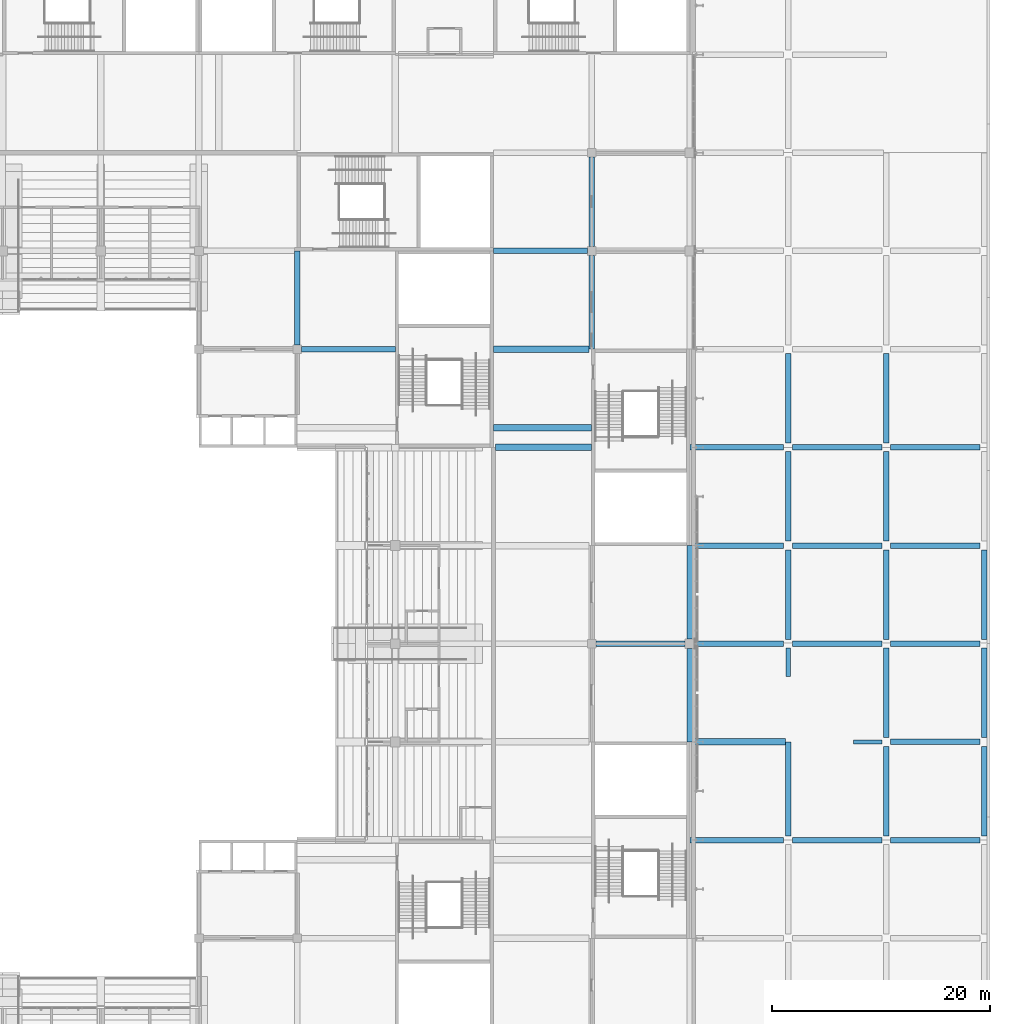
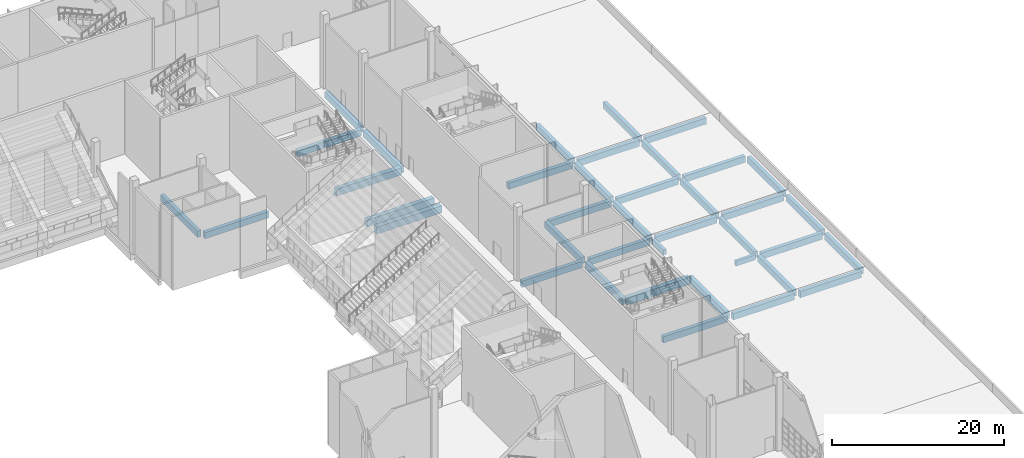
# One storey, part 53 of 182: 39 beams.
"""IFC4 building model written with IfcOpenShell, lengths in metres."""

from ifc_helpers import new_model, si_unit, direction, frame, origin, origin_2d, place, context, subcontext, project, spatial, rectangle, extrude, material, material_profile, profile_set, type_object, element, save


model = new_model("IFC4")

# Units and contexts
model_context = context("Model", 3, precision=1e-05, world=origin(), true_north=direction((0.0, 1.0)))
body_context = subcontext(model_context, "Body", "Model", "MODEL_VIEW")
ifc_project = project(units=[si_unit("LENGTHUNIT", "METRE"), si_unit("AREAUNIT", "SQUARE_METRE"), si_unit("VOLUMEUNIT", "CUBIC_METRE"), si_unit("PLANEANGLEUNIT", "RADIAN"), si_unit("MASSUNIT", "GRAM", prefix="KILO")], contexts=[model_context])

# Site, building, storey
site_placement = place(None, origin())
site = spatial("IfcSite", under=ifc_project, at=site_placement, CompositionType="ELEMENT")
building_placement = place(site_placement, origin())
building = spatial("IfcBuilding", under=site, at=building_placement, Name="Silverbay Arena", CompositionType="ELEMENT")
storey_placement = place(building_placement, frame((0.0, 0.0, 11.5)))
storey = spatial("IfcBuildingStorey", under=building, at=storey_placement, Name="L02", CompositionType="ELEMENT", Elevation=11.5)

# Beams
ifc_material_1 = material(Name="Concrete Grade C45", Category="concrete")
ifc_material_profile_1 = material_profile(ifc_material_1, rectangle(XDim=0.39990234375, YDim=0.699951171875, at=origin_2d()), Name="RC 400x700")
ifc_profile_set_1 = profile_set([ifc_material_profile_1], Name="Concrete Grade C45")
beam_type_1 = type_object("IfcBeamType", Name="RC beam 400x700", PredefinedType="BEAM", material=ifc_profile_set_1)
for number, where, z_axis, x_axis, name in (
    (1, (222.0, 72.0, -0.699951171875), (1.0, 0.0, 0.0), (0.0, 1.0, 0.0), "Floor beam L02 082"),
    (2, (216.0, 78.0, -0.699951171875), (0.0, 1.0, 0.0), (-1.0, 0.0, 0.0), "Floor beam L02 337"),
):
    element("IfcBeam", number, at=place(storey_placement, frame(where, z_axis=z_axis, x_axis=x_axis)), inside=storey, type_object=beam_type_1, Name=name, PredefinedType="BEAM", context=body_context, shape_type="SweptSolid", body=[
        extrude(rectangle(XDim=0.39990234375, YDim=0.699951171875, at=origin_2d()), origin(), (0.0, 0.0, 1.0), 2.60009765625),
    ])
ifc_material_2 = material(Name="Concrete Grade C45", Category="concrete")
ifc_material_profile_2 = material_profile(ifc_material_2, rectangle(XDim=0.5, YDim=1.0, at=origin_2d()), Name="RC 500x1000")
ifc_profile_set_2 = profile_set([ifc_material_profile_2], Name="Concrete Grade C45")
beam_type_2 = type_object("IfcBeamType", Name="RC beam 500x1000", PredefinedType="BEAM", material=ifc_profile_set_2)
beam_1_placement = place(storey_placement, frame((198.0, 108.0, -0.85009765625), z_axis=(0.0, 1.0, 0.0), x_axis=(-1.0, 0.0, 0.0)))
element("IfcBeam", 3, at=beam_1_placement, inside=storey, type_object=beam_type_2, Name="Floor beam L02 320", PredefinedType="BEAM", context=body_context, shape_type="SweptSolid", body=[
    extrude(rectangle(XDim=0.5, YDim=1.0, at=origin_2d()), origin(), (0.0, 0.0, 1.0), 8.60009765625),
])
beam_2_placement = place(storey_placement, frame((207.0, 72.0, -0.85009765625), z_axis=(0.0, 1.0, 0.0), x_axis=(-1.0, 0.0, 0.0)))
element("IfcBeam", 4, at=beam_2_placement, inside=storey, type_object=beam_type_2, Name="Floor beam L02 326", PredefinedType="BEAM", context=body_context, shape_type="SweptSolid", body=[
    extrude(rectangle(XDim=0.5, YDim=1.0, at=origin_2d()), origin(), (0.0, 0.0, 1.0), 8.550048828125),
])
beam_3_placement = place(storey_placement, frame((216.0, 63.39990234375, -0.85009765625), z_axis=(0.0, 1.0, 0.0), x_axis=(-1.0, 0.0, 0.0)))
element("IfcBeam", 5, at=beam_3_placement, inside=storey, type_object=beam_type_2, Name="Floor beam L02 336", PredefinedType="BEAM", context=body_context, shape_type="SweptSolid", body=[
    extrude(rectangle(XDim=0.5, YDim=1.0, at=origin_2d()), origin(), (0.0, 0.0, 1.0), 8.60009765625),
])
ifc_material_3 = material(Name="Concrete Grade C45", Category="concrete")
ifc_material_profile_3 = material_profile(ifc_material_3, rectangle(XDim=0.5, YDim=0.89990234375, at=origin_2d()), Name="RC 500x900")
ifc_profile_set_3 = profile_set([ifc_material_profile_3], Name="Concrete Grade C45")
beam_type_3 = type_object("IfcBeamType", Name="RC beam 500x900", PredefinedType="BEAM", material=ifc_profile_set_3)
beam_4_placement = place(storey_placement, frame((207.0, 63.0, -0.800048828125), z_axis=(1.0, 0.0, 0.0), x_axis=(0.0, 1.0, 0.0)))
element("IfcBeam", 6, at=beam_4_placement, inside=storey, type_object=beam_type_3, Name="Floor beam L02 069", PredefinedType="BEAM", context=body_context, shape_type="SweptSolid", body=[
    extrude(rectangle(XDim=0.5, YDim=0.89990234375, at=origin_2d()), origin(), (0.0, 0.0, 1.0), 8.60009765625),
])
for number, where, z_axis, x_axis, name in (
    (7, (216.39990234375, 63.0, -0.800048828125), (1.0, 0.0, 0.0), (0.0, 1.0, 0.0), "Floor beam L02 070"),
    (8, (225.39990234375, 63.0, -0.800048828125), (1.0, 0.0, 0.0), (0.0, 1.0, 0.0), "Floor beam L02 071"),
    (9, (225.39990234375, 72.0, -0.800048828125), (1.0, 0.0, 0.0), (0.0, 1.0, 0.0), "Floor beam L02 083"),
):
    element("IfcBeam", number, at=place(storey_placement, frame(where, z_axis=z_axis, x_axis=x_axis)), inside=storey, type_object=beam_type_3, Name=name, PredefinedType="BEAM", context=body_context, shape_type="SweptSolid", body=[
        extrude(rectangle(XDim=0.5, YDim=0.89990234375, at=origin_2d()), origin(), (0.0, 0.0, 1.0), 8.2001953125),
    ])
for number, where, z_axis, x_axis, name in (
    (10, (198.39990234375, 81.0, -0.800048828125), (1.0, 0.0, 0.0), (0.0, 1.0, 0.0), "Floor beam L02 094"),
    (11, (207.449951171875, 81.0, -0.800048828125), (1.0, 0.0, 0.0), (0.0, 1.0, 0.0), "Floor beam L02 095"),
):
    element("IfcBeam", number, at=place(storey_placement, frame(where, z_axis=z_axis, x_axis=x_axis)), inside=storey, type_object=beam_type_3, Name=name, PredefinedType="BEAM", context=body_context, shape_type="SweptSolid", body=[
        extrude(rectangle(XDim=0.5, YDim=0.89990234375, at=origin_2d()), origin(), (0.0, 0.0, 1.0), 8.150146484375),
    ])
for number, where, z_axis, x_axis, name in (
    (12, (216.39990234375, 81.0, -0.800048828125), (1.0, 0.0, 0.0), (0.0, 1.0, 0.0), "Floor beam L02 096"),
    (13, (225.39990234375, 81.0, -0.800048828125), (1.0, 0.0, 0.0), (0.0, 1.0, 0.0), "Floor beam L02 097"),
):
    element("IfcBeam", number, at=place(storey_placement, frame(where, z_axis=z_axis, x_axis=x_axis)), inside=storey, type_object=beam_type_3, Name=name, PredefinedType="BEAM", context=body_context, shape_type="SweptSolid", body=[
        extrude(rectangle(XDim=0.5, YDim=0.89990234375, at=origin_2d()), origin(), (0.0, 0.0, 1.0), 8.2001953125),
    ])
beam_5_placement = place(storey_placement, frame((207.25, 90.0, -0.800048828125), z_axis=(1.0, 0.0, 0.0), x_axis=(0.0, 1.0, 0.0)))
element("IfcBeam", 14, at=beam_5_placement, inside=storey, type_object=beam_type_3, Name="Floor beam L02 107", PredefinedType="BEAM", context=body_context, shape_type="SweptSolid", body=[
    extrude(rectangle(XDim=0.5, YDim=0.89990234375, at=origin_2d()), origin(), (0.0, 0.0, 1.0), 8.35009765625),
])
for number, where, z_axis, x_axis, name in (
    (15, (216.39990234375, 90.0, -0.800048828125), (1.0, 0.0, 0.0), (0.0, 1.0, 0.0), "Floor beam L02 108"),
    (16, (225.39990234375, 90.0, -0.800048828125), (1.0, 0.0, 0.0), (0.0, 1.0, 0.0), "Floor beam L02 109"),
):
    element("IfcBeam", number, at=place(storey_placement, frame(where, z_axis=z_axis, x_axis=x_axis)), inside=storey, type_object=beam_type_3, Name=name, PredefinedType="BEAM", context=body_context, shape_type="SweptSolid", body=[
        extrude(rectangle(XDim=0.5, YDim=0.89990234375, at=origin_2d()), origin(), (0.0, 0.0, 1.0), 8.2001953125),
    ])
beam_6_placement = place(storey_placement, frame((207.0, 99.0, -0.800048828125), z_axis=(1.0, 0.0, 0.0), x_axis=(0.0, 1.0, 0.0)))
element("IfcBeam", 17, at=beam_6_placement, inside=storey, type_object=beam_type_3, Name="Floor beam L02 117", PredefinedType="BEAM", context=body_context, shape_type="SweptSolid", body=[
    extrude(rectangle(XDim=0.5, YDim=0.89990234375, at=origin_2d()), origin(), (0.0, 0.0, 1.0), 8.60009765625),
])
for number, where, z_axis, x_axis, name in (
    (18, (216.39990234375, 99.0, -0.800048828125), (1.0, 0.0, 0.0), (0.0, 1.0, 0.0), "Floor beam L02 118"),
    (19, (225.39990234375, 99.0, -0.800048828125), (1.0, 0.0, 0.0), (0.0, 1.0, 0.0), "Floor beam L02 119"),
):
    element("IfcBeam", number, at=place(storey_placement, frame(where, z_axis=z_axis, x_axis=x_axis)), inside=storey, type_object=beam_type_3, Name=name, PredefinedType="BEAM", context=body_context, shape_type="SweptSolid", body=[
        extrude(rectangle(XDim=0.5, YDim=0.89990234375, at=origin_2d()), origin(), (0.0, 0.0, 1.0), 8.2001953125),
    ])
for number, where, z_axis, x_axis, name in (
    (20, (171.39990234375, 108.0, -0.800048828125), (1.0, 0.0, 0.0), (0.0, 1.0, 0.0), "Floor beam L02 131"),
    (21, (189.0, 117.0, -0.800048828125), (1.0, 0.0, 0.0), (0.0, 1.0, 0.0), "Floor beam L02 150"),
    (22, (171.0, 108.39990234375, -0.800048828125), (0.0, 1.0, 0.0), (-1.0, 0.0, 0.0), "Floor beam L02 307"),
):
    element("IfcBeam", number, at=place(storey_placement, frame(where, z_axis=z_axis, x_axis=x_axis)), inside=storey, type_object=beam_type_3, Name=name, PredefinedType="BEAM", context=body_context, shape_type="SweptSolid", body=[
        extrude(rectangle(XDim=0.5, YDim=0.89990234375, at=origin_2d()), origin(), (0.0, 0.0, 1.0), 8.60009765625),
    ])
beam_7_placement = place(storey_placement, frame((198.0, 117.39990234375, -0.800048828125), z_axis=(0.0, 1.0, 0.0), x_axis=(-1.0, 0.0, 0.0)))
element("IfcBeam", 23, at=beam_7_placement, inside=storey, type_object=beam_type_3, Name="Floor beam L02 321", PredefinedType="BEAM", context=body_context, shape_type="SweptSolid", body=[
    extrude(rectangle(XDim=0.5, YDim=0.89990234375, at=origin_2d()), origin(), (0.0, 0.0, 1.0), 8.2001953125),
])
beam_8_placement = place(storey_placement, frame((207.0, 81.449951171875, -0.800048828125), z_axis=(0.0, 1.0, 0.0), x_axis=(-1.0, 0.0, 0.0)))
element("IfcBeam", 24, at=beam_8_placement, inside=storey, type_object=beam_type_3, Name="Floor beam L02 327", PredefinedType="BEAM", context=body_context, shape_type="SweptSolid", body=[
    extrude(rectangle(XDim=0.5, YDim=0.89990234375, at=origin_2d()), origin(), (0.0, 0.0, 1.0), 8.550048828125),
])
for number, where, z_axis, x_axis, name in (
    (25, (216.0, 81.39990234375, -0.800048828125), (0.0, 1.0, 0.0), (-1.0, 0.0, 0.0), "Floor beam L02 338"),
    (26, (216.0, 90.39990234375, -0.800048828125), (0.0, 1.0, 0.0), (-1.0, 0.0, 0.0), "Floor beam L02 339"),
    (27, (216.0, 99.39990234375, -0.800048828125), (0.0, 1.0, 0.0), (-1.0, 0.0, 0.0), "Floor beam L02 340"),
    (28, (225.0, 63.39990234375, -0.800048828125), (0.0, 1.0, 0.0), (-1.0, 0.0, 0.0), "Floor beam L02 348"),
    (29, (225.0, 72.39990234375, -0.800048828125), (0.0, 1.0, 0.0), (-1.0, 0.0, 0.0), "Floor beam L02 349"),
    (30, (225.0, 81.39990234375, -0.800048828125), (0.0, 1.0, 0.0), (-1.0, 0.0, 0.0), "Floor beam L02 350"),
    (31, (225.0, 90.39990234375, -0.800048828125), (0.0, 1.0, 0.0), (-1.0, 0.0, 0.0), "Floor beam L02 351"),
    (32, (225.0, 99.39990234375, -0.800048828125), (0.0, 1.0, 0.0), (-1.0, 0.0, 0.0), "Floor beam L02 352"),
    (33, (234.0, 63.39990234375, -0.800048828125), (0.0, 1.0, 0.0), (-1.0, 0.0, 0.0), "Floor beam L02 358"),
    (34, (234.0, 72.39990234375, -0.800048828125), (0.0, 1.0, 0.0), (-1.0, 0.0, 0.0), "Floor beam L02 359"),
    (35, (234.0, 81.39990234375, -0.800048828125), (0.0, 1.0, 0.0), (-1.0, 0.0, 0.0), "Floor beam L02 360"),
):
    element("IfcBeam", number, at=place(storey_placement, frame(where, z_axis=z_axis, x_axis=x_axis)), inside=storey, type_object=beam_type_3, Name=name, PredefinedType="BEAM", context=body_context, shape_type="SweptSolid", body=[
        extrude(rectangle(XDim=0.5, YDim=0.89990234375, at=origin_2d()), origin(), (0.0, 0.0, 1.0), 8.2001953125),
    ])
ifc_material_4 = material(Name="Concrete Grade C45", Category="concrete")
ifc_material_profile_4 = material_profile(ifc_material_4, rectangle(XDim=0.60009765625, YDim=1.0, at=origin_2d()), Name="RC 600x1000")
ifc_profile_set_4 = profile_set([ifc_material_profile_4], Name="Concrete Grade C45")
beam_type_4 = type_object("IfcBeamType", Name="RC beam 600x1000", PredefinedType="BEAM", material=ifc_profile_set_4)
beam_9_placement = place(storey_placement, frame((207.25, 72.0, -0.85009765625), z_axis=(1.0, 0.0, 0.0), x_axis=(0.0, 1.0, 0.0)))
element("IfcBeam", 36, at=beam_9_placement, inside=storey, type_object=beam_type_4, Name="Floor beam L02 081", PredefinedType="BEAM", context=body_context, shape_type="SweptSolid", body=[
    extrude(rectangle(XDim=0.60009765625, YDim=1.0, at=origin_2d()), origin(), (0.0, 0.0, 1.0), 8.5),
])
beam_10_placement = place(storey_placement, frame((189.199951171875, 99.0, -0.85009765625), z_axis=(1.0, 0.0, 0.0), x_axis=(0.0, 1.0, 0.0)))
element("IfcBeam", 37, at=beam_10_placement, inside=storey, type_object=beam_type_4, Name="Floor beam L02 116", PredefinedType="BEAM", context=body_context, shape_type="SweptSolid", body=[
    extrude(rectangle(XDim=0.60009765625, YDim=1.0, at=origin_2d()), origin(), (0.0, 0.0, 1.0), 8.800048828125),
])
beam_11_placement = place(storey_placement, frame((189.0, 100.800048828125, -0.85009765625), z_axis=(1.0, 0.0, 0.0), x_axis=(0.0, 1.0, 0.0)))
element("IfcBeam", 38, at=beam_11_placement, inside=storey, type_object=beam_type_4, Name="Floor beam L02 123", PredefinedType="BEAM", context=body_context, shape_type="SweptSolid", body=[
    extrude(rectangle(XDim=0.60009765625, YDim=1.0, at=origin_2d()), origin(), (0.0, 0.0, 1.0), 9.0),
])
beam_12_placement = place(storey_placement, frame((189.0, 108.0, -0.85009765625), z_axis=(1.0, 0.0, 0.0), x_axis=(0.0, 1.0, 0.0)))
element("IfcBeam", 39, at=beam_12_placement, inside=storey, type_object=beam_type_4, Name="Floor beam L02 132", PredefinedType="BEAM", context=body_context, shape_type="SweptSolid", body=[
    extrude(rectangle(XDim=0.60009765625, YDim=1.0, at=origin_2d()), origin(), (0.0, 0.0, 1.0), 8.75),
])

save(model, "model.ifc")
